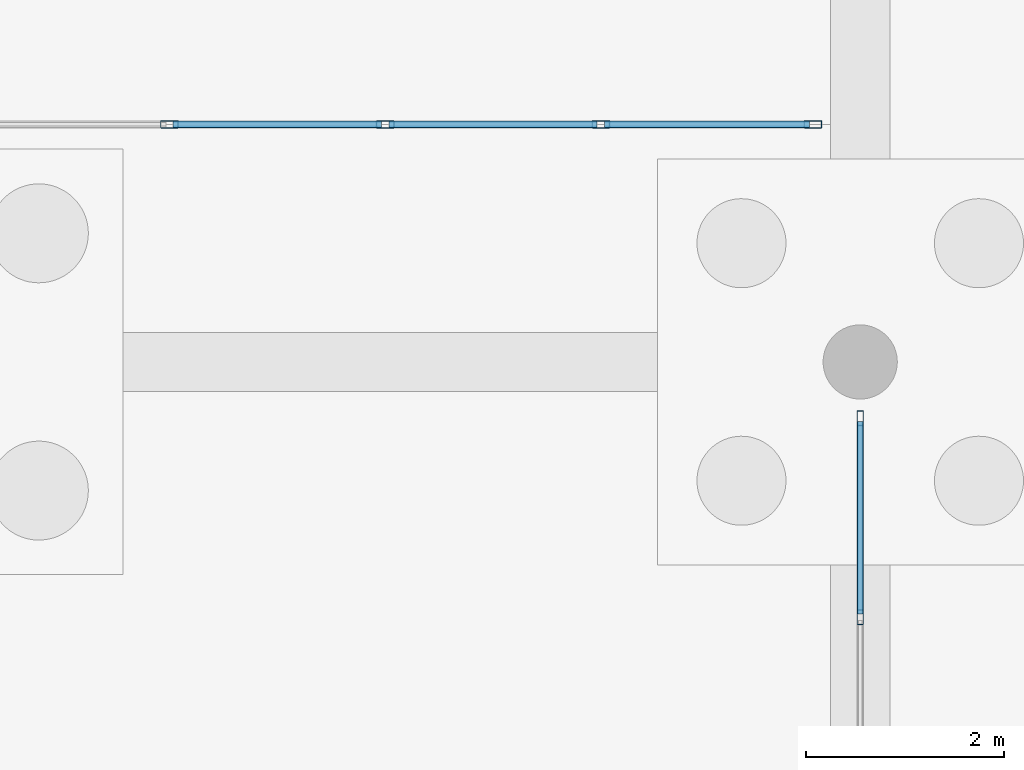
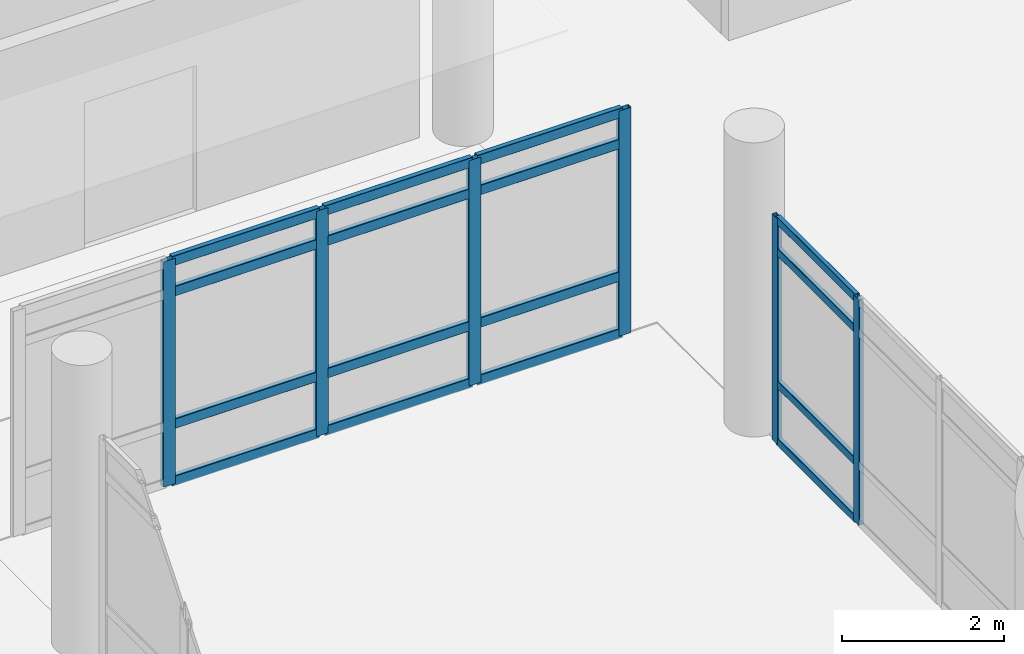
# One storey, part 128 of 196: 22 members, 2 elements without a shape of their own.
"""IFC4 building model written with IfcOpenShell, lengths in metres."""

from ifc_helpers import new_model, si_unit, direction, frame, origin, origin_2d, place, context, subcontext, project, spatial, hollow_rectangle, extrude, material, layer, layer_set, material_profile, profile_set, type_object, element, aggregate, save


model = new_model("IFC4")

# Units and contexts
model_context = context("Model", 3, precision=1e-05, world=origin(), true_north=direction((0.0, 1.0)))
body_context = subcontext(model_context, "Body", "Model", "MODEL_VIEW")
ifc_project = project(units=[si_unit("LENGTHUNIT", "METRE"), si_unit("AREAUNIT", "SQUARE_METRE"), si_unit("VOLUMEUNIT", "CUBIC_METRE"), si_unit("PLANEANGLEUNIT", "RADIAN"), si_unit("MASSUNIT", "GRAM", prefix="KILO")], contexts=[model_context])

# Site, building, storey
site_placement = place(None, origin())
site = spatial("IfcSite", under=ifc_project, at=site_placement, CompositionType="ELEMENT")
building_placement = place(site_placement, origin())
building = spatial("IfcBuilding", under=site, at=building_placement, Name="Asteropetra Specialist Clinic", CompositionType="ELEMENT")
storey_placement = place(building_placement, origin())
storey = spatial("IfcBuildingStorey", under=building, at=storey_placement, Name="L00", CompositionType="ELEMENT", Elevation=0.0)

# Curtain wall, members
ifc_material_1 = material(Name="Aluminium and low-E glass", Category="aluminium")
ifc_layer_1 = layer(ifc_material_1, 0.135009765625)
ifc_layer_set_1 = layer_set([ifc_layer_1], Name="Aluminium and low-E glass")
curtain_wall_type_1 = type_object("IfcCurtainWallType", Name="CW-SYS-12", PredefinedType="USERDEFINED", material=ifc_layer_set_1)
curtain_wall_1_placement = place(storey_placement, origin())
curtain_wall_1 = element("IfcCurtainWall", 1, at=curtain_wall_1_placement, inside=storey, type_object=curtain_wall_type_1, Name="Curtain Wall CW-070", ObjectType="STICK GLAZED COLONNADE", PredefinedType="USERDEFINED")
ifc_material_2 = material(Name="Aluminium 6063-T6", Category="aluminium")
ifc_material_profile_1 = material_profile(ifc_material_2, hollow_rectangle(XDim=0.06494140625, YDim=0.14990234375, WallThickness=0.00390625, InnerFilletRadius=0.00390625, OuterFilletRadius=0.008056640625, at=origin_2d()), Name="MUL 150x65x4.0")
ifc_profile_set_1 = profile_set([ifc_material_profile_1], Name="Aluminium 6063-T6")
member_type_1 = type_object("IfcMemberType", Name="CWM-150x65", PredefinedType="MULLION", material=ifc_profile_set_1)
member_1_placement = place(storey_placement, frame((134.39990234375, 31.021728515625, 0.0), z_axis=(0.0, 0.0, 1.0), x_axis=(-1.0, 0.0, 0.0)))
member_1 = element("IfcMember", 2, at=member_1_placement, type_object=member_type_1, Name="CW-070 mullion 3", PredefinedType="MULLION", context=body_context, shape_type="SweptSolid", body=[
    extrude(hollow_rectangle(XDim=0.06494140625, YDim=0.14990234375, WallThickness=0.00390625, InnerFilletRadius=0.00390625, OuterFilletRadius=0.008056640625, at=origin_2d()), origin(), (0.0, 0.0, 1.0), 3.39990234375),
])
member_2_placement = place(storey_placement, frame((134.39990234375, 33.032470703125, 0.0), z_axis=(0.0, 0.0, 1.0), x_axis=(-1.0, 0.0, 0.0)))
member_2 = element("IfcMember", 3, at=member_2_placement, type_object=member_type_1, Name="CW-070 mullion 4", PredefinedType="MULLION", context=body_context, shape_type="SweptSolid", body=[
    extrude(hollow_rectangle(XDim=0.06494140625, YDim=0.14990234375, WallThickness=0.00390625, InnerFilletRadius=0.00390625, OuterFilletRadius=0.008056640625, at=origin_2d()), origin(), (0.0, 0.0, 1.0), 3.39990234375),
])

ifc_material_3 = material(Name="Aluminium and low-E glass", Category="aluminium")
ifc_layer_2 = layer(ifc_material_3, 0.135009765625)
ifc_layer_set_2 = layer_set([ifc_layer_2], Name="Aluminium and low-E glass")
curtain_wall_type_2 = type_object("IfcCurtainWallType", Name="CW-SYS-09", PredefinedType="USERDEFINED", material=ifc_layer_set_2)
curtain_wall_2_placement = place(storey_placement, origin())
curtain_wall_2 = element("IfcCurtainWall", 4, at=curtain_wall_2_placement, inside=storey, type_object=curtain_wall_type_2, Name="Curtain Wall CW-066", ObjectType="STICK GLAZED COLONNADE", PredefinedType="USERDEFINED")
ifc_material_4 = material(Name="Aluminium 6063-T6", Category="aluminium")
ifc_material_profile_2 = material_profile(ifc_material_4, hollow_rectangle(XDim=0.074951171875, YDim=0.179931640625, WallThickness=0.00390625, InnerFilletRadius=0.00390625, OuterFilletRadius=0.008056640625, at=origin_2d()), Name="MUL 180x75x4.0")
ifc_profile_set_2 = profile_set([ifc_material_profile_2], Name="Aluminium 6063-T6")
member_type_2 = type_object("IfcMemberType", Name="CWM-180x75", PredefinedType="MULLION", material=ifc_profile_set_2)
member_3_placement = place(storey_placement, frame((133.922607421875, 36.0, 0.0), z_axis=(0.0, 0.0, 1.0), x_axis=(0.0, -1.0, 0.0)))
member_3 = element("IfcMember", 5, at=member_3_placement, type_object=member_type_2, Name="CW-066 mullion 1", PredefinedType="MULLION", context=body_context, shape_type="SweptSolid", body=[
    extrude(hollow_rectangle(XDim=0.074951171875, YDim=0.179931640625, WallThickness=0.00390625, InnerFilletRadius=0.00390625, OuterFilletRadius=0.008056640625, at=origin_2d()), origin(), (0.0, 0.0, 1.0), 3.39990234375),
])
member_4_placement = place(storey_placement, frame((131.780029296875, 36.0, 0.0), z_axis=(0.0, 0.0, 1.0), x_axis=(0.0, -1.0, 0.0)))
member_4 = element("IfcMember", 6, at=member_4_placement, type_object=member_type_2, Name="CW-066 mullion 2", PredefinedType="MULLION", context=body_context, shape_type="SweptSolid", body=[
    extrude(hollow_rectangle(XDim=0.074951171875, YDim=0.179931640625, WallThickness=0.00390625, InnerFilletRadius=0.00390625, OuterFilletRadius=0.008056640625, at=origin_2d()), origin(), (0.0, 0.0, 1.0), 3.39990234375),
])
member_5_placement = place(storey_placement, frame((129.60009765625, 36.0, 0.0), z_axis=(0.0, 0.0, 1.0), x_axis=(0.0, -1.0, 0.0)))
member_5 = element("IfcMember", 7, at=member_5_placement, type_object=member_type_2, Name="CW-066 mullion 3", PredefinedType="MULLION", context=body_context, shape_type="SweptSolid", body=[
    extrude(hollow_rectangle(XDim=0.074951171875, YDim=0.179931640625, WallThickness=0.00390625, InnerFilletRadius=0.00390625, OuterFilletRadius=0.008056640625, at=origin_2d()), origin(), (0.0, 0.0, 1.0), 3.39990234375),
])
member_6_placement = place(storey_placement, frame((127.419921875, 36.0, 0.0), z_axis=(0.0, 0.0, 1.0), x_axis=(0.0, -1.0, 0.0)))
member_6 = element("IfcMember", 8, at=member_6_placement, type_object=member_type_2, Name="CW-066 mullion 4", PredefinedType="MULLION", context=body_context, shape_type="SweptSolid", body=[
    extrude(hollow_rectangle(XDim=0.074951171875, YDim=0.179931640625, WallThickness=0.00390625, InnerFilletRadius=0.00390625, OuterFilletRadius=0.008056640625, at=origin_2d()), origin(), (0.0, 0.0, 1.0), 3.39990234375),
])

# Member
ifc_material_5 = material(Name="Aluminium 6063-T6", Category="aluminium")
ifc_material_profile_3 = material_profile(ifc_material_5, hollow_rectangle(XDim=0.06494140625, YDim=0.1201171875, WallThickness=0.00390625, InnerFilletRadius=0.00390625, OuterFilletRadius=0.008056640625, at=origin_2d()), Name="TRN 120x65x4.0")
ifc_profile_set_3 = profile_set([ifc_material_profile_3], Name="Aluminium 6063-T6")
member_type_3 = type_object("IfcMemberType", Name="CWT-120x65", PredefinedType="USERDEFINED", material=ifc_profile_set_3)
member_7_placement = place(storey_placement, frame((134.39990234375, 31.05419921875, 0.032470703125), z_axis=(0.0, 1.0, 0.0), x_axis=(-1.0, 0.0, 0.0)))
member_7 = element("IfcMember", 9, at=member_7_placement, type_object=member_type_3, Name="CW-070 transom 3.1", ObjectType="TRANSOM", PredefinedType="USERDEFINED", context=body_context, shape_type="SweptSolid", body=[
    extrude(hollow_rectangle(XDim=0.06494140625, YDim=0.1201171875, WallThickness=0.00390625, InnerFilletRadius=0.00390625, OuterFilletRadius=0.008056640625, at=origin_2d()), origin(), (0.0, 0.0, 1.0), 1.94580078125),
])

member_8_placement = place(storey_placement, frame((134.39990234375, 31.05419921875, 0.89990234375), z_axis=(0.0, 1.0, 0.0), x_axis=(-1.0, 0.0, 0.0)))
member_8 = element("IfcMember", 10, at=member_8_placement, type_object=member_type_3, Name="CW-070 transom 3.2", ObjectType="TRANSOM", PredefinedType="USERDEFINED", context=body_context, shape_type="SweptSolid", body=[
    extrude(hollow_rectangle(XDim=0.06494140625, YDim=0.1201171875, WallThickness=0.00390625, InnerFilletRadius=0.00390625, OuterFilletRadius=0.008056640625, at=origin_2d()), origin(), (0.0, 0.0, 1.0), 1.94580078125),
])

member_9_placement = place(storey_placement, frame((134.39990234375, 31.05419921875, 2.89990234375), z_axis=(0.0, 1.0, 0.0), x_axis=(-1.0, 0.0, 0.0)))
member_9 = element("IfcMember", 11, at=member_9_placement, type_object=member_type_3, Name="CW-070 transom 3.3", ObjectType="TRANSOM", PredefinedType="USERDEFINED", context=body_context, shape_type="SweptSolid", body=[
    extrude(hollow_rectangle(XDim=0.06494140625, YDim=0.1201171875, WallThickness=0.00390625, InnerFilletRadius=0.00390625, OuterFilletRadius=0.008056640625, at=origin_2d()), origin(), (0.0, 0.0, 1.0), 1.94580078125),
])

member_10_placement = place(storey_placement, frame((134.39990234375, 31.05419921875, 3.367431640625), z_axis=(0.0, 1.0, 0.0), x_axis=(-1.0, 0.0, 0.0)))
member_10 = element("IfcMember", 12, at=member_10_placement, type_object=member_type_3, Name="CW-070 transom 3.4", ObjectType="TRANSOM", PredefinedType="USERDEFINED", context=body_context, shape_type="SweptSolid", body=[
    extrude(hollow_rectangle(XDim=0.06494140625, YDim=0.1201171875, WallThickness=0.00390625, InnerFilletRadius=0.00390625, OuterFilletRadius=0.008056640625, at=origin_2d()), origin(), (0.0, 0.0, 1.0), 1.94580078125),
])

aggregate(curtain_wall_1, [member_1, member_2, member_7, member_8, member_9, member_10])

ifc_material_6 = material(Name="Aluminium 6063-T6", Category="aluminium")
ifc_material_profile_4 = material_profile(ifc_material_6, hollow_rectangle(XDim=0.074951171875, YDim=0.14990234375, WallThickness=0.00390625, InnerFilletRadius=0.00390625, OuterFilletRadius=0.008056640625, at=origin_2d()), Name="TRN 150x75x4.0")
ifc_profile_set_4 = profile_set([ifc_material_profile_4], Name="Aluminium 6063-T6")
member_type_4 = type_object("IfcMemberType", Name="CWT-150x75", PredefinedType="USERDEFINED", material=ifc_profile_set_4)
member_11_placement = place(storey_placement, frame((133.885009765625, 36.0, 0.03759765625), z_axis=(-1.0, 0.0, 0.0), x_axis=(0.0, -1.0, 0.0)))
member_11 = element("IfcMember", 13, at=member_11_placement, type_object=member_type_4, Name="CW-066 transom 1.1", ObjectType="TRANSOM", PredefinedType="USERDEFINED", context=body_context, shape_type="SweptSolid", body=[
    extrude(hollow_rectangle(XDim=0.074951171875, YDim=0.14990234375, WallThickness=0.00390625, InnerFilletRadius=0.00390625, OuterFilletRadius=0.008056640625, at=origin_2d()), origin(), (0.0, 0.0, 1.0), 2.067626953125),
])

member_12_placement = place(storey_placement, frame((133.885009765625, 36.0, 0.89990234375), z_axis=(-1.0, 0.0, 0.0), x_axis=(0.0, -1.0, 0.0)))
member_12 = element("IfcMember", 14, at=member_12_placement, type_object=member_type_4, Name="CW-066 transom 1.2", ObjectType="TRANSOM", PredefinedType="USERDEFINED", context=body_context, shape_type="SweptSolid", body=[
    extrude(hollow_rectangle(XDim=0.074951171875, YDim=0.14990234375, WallThickness=0.00390625, InnerFilletRadius=0.00390625, OuterFilletRadius=0.008056640625, at=origin_2d()), origin(), (0.0, 0.0, 1.0), 2.067626953125),
])

member_13_placement = place(storey_placement, frame((133.885009765625, 36.0, 2.89990234375), z_axis=(-1.0, 0.0, 0.0), x_axis=(0.0, -1.0, 0.0)))
member_13 = element("IfcMember", 15, at=member_13_placement, type_object=member_type_4, Name="CW-066 transom 1.3", ObjectType="TRANSOM", PredefinedType="USERDEFINED", context=body_context, shape_type="SweptSolid", body=[
    extrude(hollow_rectangle(XDim=0.074951171875, YDim=0.14990234375, WallThickness=0.00390625, InnerFilletRadius=0.00390625, OuterFilletRadius=0.008056640625, at=origin_2d()), origin(), (0.0, 0.0, 1.0), 2.067626953125),
])

member_14_placement = place(storey_placement, frame((133.885009765625, 36.0, 3.362548828125), z_axis=(-1.0, 0.0, 0.0), x_axis=(0.0, -1.0, 0.0)))
member_14 = element("IfcMember", 16, at=member_14_placement, type_object=member_type_4, Name="CW-066 transom 1.4", ObjectType="TRANSOM", PredefinedType="USERDEFINED", context=body_context, shape_type="SweptSolid", body=[
    extrude(hollow_rectangle(XDim=0.074951171875, YDim=0.14990234375, WallThickness=0.00390625, InnerFilletRadius=0.00390625, OuterFilletRadius=0.008056640625, at=origin_2d()), origin(), (0.0, 0.0, 1.0), 2.067626953125),
])

member_15_placement = place(storey_placement, frame((131.742431640625, 36.0, 0.03759765625), z_axis=(-1.0, 0.0, 0.0), x_axis=(0.0, -1.0, 0.0)))
member_15 = element("IfcMember", 17, at=member_15_placement, type_object=member_type_4, Name="CW-066 transom 2.1", ObjectType="TRANSOM", PredefinedType="USERDEFINED", context=body_context, shape_type="SweptSolid", body=[
    extrude(hollow_rectangle(XDim=0.074951171875, YDim=0.14990234375, WallThickness=0.00390625, InnerFilletRadius=0.00390625, OuterFilletRadius=0.008056640625, at=origin_2d()), origin(), (0.0, 0.0, 1.0), 2.10498046875),
])

member_16_placement = place(storey_placement, frame((131.742431640625, 36.0, 0.89990234375), z_axis=(-1.0, 0.0, 0.0), x_axis=(0.0, -1.0, 0.0)))
member_16 = element("IfcMember", 18, at=member_16_placement, type_object=member_type_4, Name="CW-066 transom 2.2", ObjectType="TRANSOM", PredefinedType="USERDEFINED", context=body_context, shape_type="SweptSolid", body=[
    extrude(hollow_rectangle(XDim=0.074951171875, YDim=0.14990234375, WallThickness=0.00390625, InnerFilletRadius=0.00390625, OuterFilletRadius=0.008056640625, at=origin_2d()), origin(), (0.0, 0.0, 1.0), 2.10498046875),
])

member_17_placement = place(storey_placement, frame((131.742431640625, 36.0, 2.89990234375), z_axis=(-1.0, 0.0, 0.0), x_axis=(0.0, -1.0, 0.0)))
member_17 = element("IfcMember", 19, at=member_17_placement, type_object=member_type_4, Name="CW-066 transom 2.3", ObjectType="TRANSOM", PredefinedType="USERDEFINED", context=body_context, shape_type="SweptSolid", body=[
    extrude(hollow_rectangle(XDim=0.074951171875, YDim=0.14990234375, WallThickness=0.00390625, InnerFilletRadius=0.00390625, OuterFilletRadius=0.008056640625, at=origin_2d()), origin(), (0.0, 0.0, 1.0), 2.10498046875),
])

member_18_placement = place(storey_placement, frame((131.742431640625, 36.0, 3.362548828125), z_axis=(-1.0, 0.0, 0.0), x_axis=(0.0, -1.0, 0.0)))
member_18 = element("IfcMember", 20, at=member_18_placement, type_object=member_type_4, Name="CW-066 transom 2.4", ObjectType="TRANSOM", PredefinedType="USERDEFINED", context=body_context, shape_type="SweptSolid", body=[
    extrude(hollow_rectangle(XDim=0.074951171875, YDim=0.14990234375, WallThickness=0.00390625, InnerFilletRadius=0.00390625, OuterFilletRadius=0.008056640625, at=origin_2d()), origin(), (0.0, 0.0, 1.0), 2.10498046875),
])

member_19_placement = place(storey_placement, frame((129.5625, 36.0, 0.03759765625), z_axis=(-1.0, 0.0, 0.0), x_axis=(0.0, -1.0, 0.0)))
member_19 = element("IfcMember", 21, at=member_19_placement, type_object=member_type_4, Name="CW-066 transom 3.1", ObjectType="TRANSOM", PredefinedType="USERDEFINED", context=body_context, shape_type="SweptSolid", body=[
    extrude(hollow_rectangle(XDim=0.074951171875, YDim=0.14990234375, WallThickness=0.00390625, InnerFilletRadius=0.00390625, OuterFilletRadius=0.008056640625, at=origin_2d()), origin(), (0.0, 0.0, 1.0), 2.10498046875),
])

member_20_placement = place(storey_placement, frame((129.5625, 36.0, 0.89990234375), z_axis=(-1.0, 0.0, 0.0), x_axis=(0.0, -1.0, 0.0)))
member_20 = element("IfcMember", 22, at=member_20_placement, type_object=member_type_4, Name="CW-066 transom 3.2", ObjectType="TRANSOM", PredefinedType="USERDEFINED", context=body_context, shape_type="SweptSolid", body=[
    extrude(hollow_rectangle(XDim=0.074951171875, YDim=0.14990234375, WallThickness=0.00390625, InnerFilletRadius=0.00390625, OuterFilletRadius=0.008056640625, at=origin_2d()), origin(), (0.0, 0.0, 1.0), 2.10498046875),
])

member_21_placement = place(storey_placement, frame((129.5625, 36.0, 2.89990234375), z_axis=(-1.0, 0.0, 0.0), x_axis=(0.0, -1.0, 0.0)))
member_21 = element("IfcMember", 23, at=member_21_placement, type_object=member_type_4, Name="CW-066 transom 3.3", ObjectType="TRANSOM", PredefinedType="USERDEFINED", context=body_context, shape_type="SweptSolid", body=[
    extrude(hollow_rectangle(XDim=0.074951171875, YDim=0.14990234375, WallThickness=0.00390625, InnerFilletRadius=0.00390625, OuterFilletRadius=0.008056640625, at=origin_2d()), origin(), (0.0, 0.0, 1.0), 2.10498046875),
])

member_22_placement = place(storey_placement, frame((129.5625, 36.0, 3.362548828125), z_axis=(-1.0, 0.0, 0.0), x_axis=(0.0, -1.0, 0.0)))
member_22 = element("IfcMember", 24, at=member_22_placement, type_object=member_type_4, Name="CW-066 transom 3.4", ObjectType="TRANSOM", PredefinedType="USERDEFINED", context=body_context, shape_type="SweptSolid", body=[
    extrude(hollow_rectangle(XDim=0.074951171875, YDim=0.14990234375, WallThickness=0.00390625, InnerFilletRadius=0.00390625, OuterFilletRadius=0.008056640625, at=origin_2d()), origin(), (0.0, 0.0, 1.0), 2.10498046875),
])

aggregate(curtain_wall_2, [member_3, member_4, member_5, member_6, member_11, member_12, member_13, member_14, member_15, member_16, member_17, member_18, member_19, member_20, member_21, member_22])

save(model, "model.ifc")
